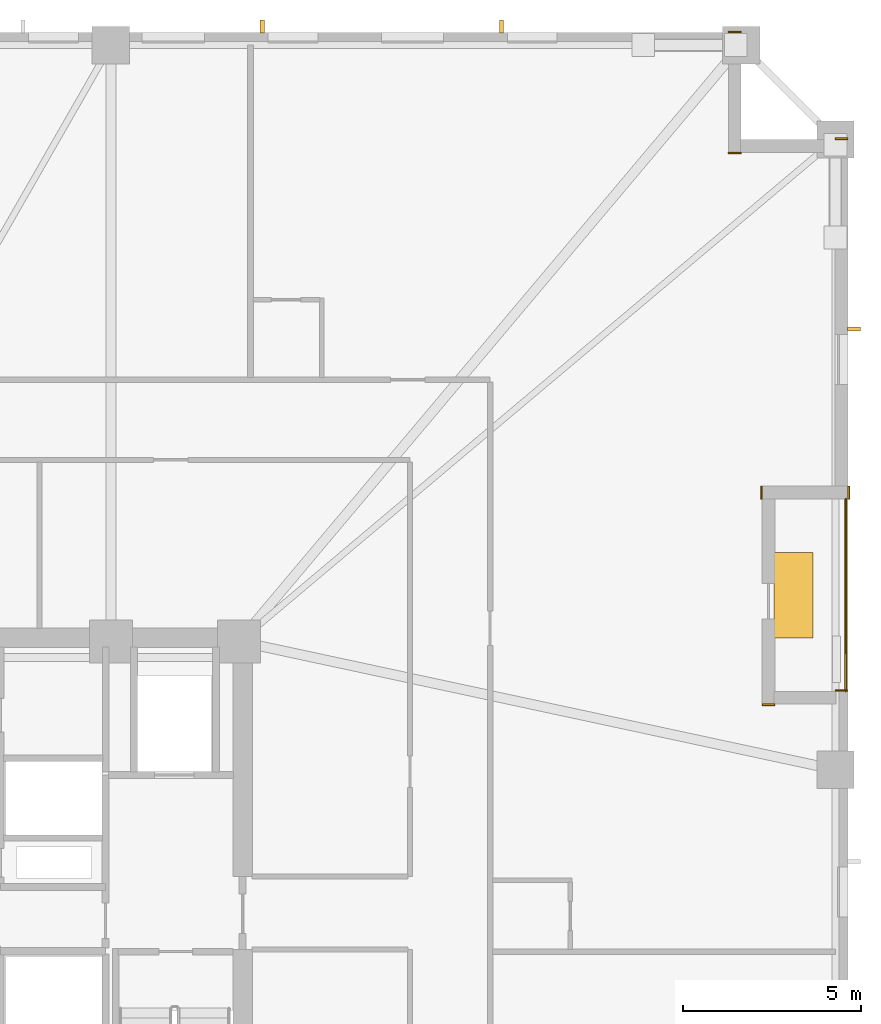
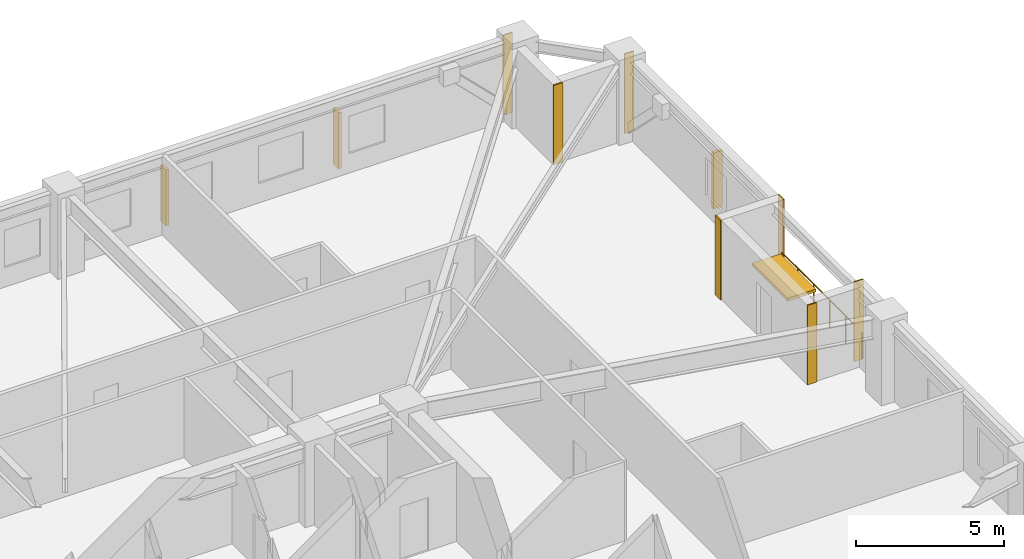
# One storey, part 12 of 12: 7 coverings, 4 shading devices, 1 railing.
"""IFC4 building model written with IfcOpenShell, lengths in metres."""

from ifc_helpers import new_model, si_unit, direction, frame, frame_2d, origin, origin_2d, place, context, subcontext, project, spatial, rectangle, circle, extrude, material, layer, layer_set, type_object, element, save


model = new_model("IFC4")

# Units and contexts
model_context = context("Model", 3, precision=1e-05, world=origin(), true_north=direction((0.0, 1.0)))
body_context = subcontext(model_context, "Body", "Model", "MODEL_VIEW")
ifc_project = project(units=[si_unit("LENGTHUNIT", "METRE"), si_unit("AREAUNIT", "SQUARE_METRE"), si_unit("VOLUMEUNIT", "CUBIC_METRE"), si_unit("PLANEANGLEUNIT", "RADIAN"), si_unit("MASSUNIT", "GRAM", prefix="KILO")], contexts=[model_context])

# Site, building, storey
site_placement = place(None, origin())
site = spatial("IfcSite", under=ifc_project, at=site_placement, CompositionType="ELEMENT")
building_placement = place(site_placement, origin())
building = spatial("IfcBuilding", under=site, at=building_placement, Name="Cairnveth Concourse Tower", CompositionType="ELEMENT")
storey_placement = place(building_placement, frame((0.0, 0.0, 83.0)))
storey = spatial("IfcBuildingStorey", under=building, at=storey_placement, Name="L22", CompositionType="ELEMENT", Elevation=83.0)

# Coverings
ifc_material_1 = material(Name="Dressed Melbourne Bluestone Cladding", Category="masonry")
ifc_layer = layer(ifc_material_1, 0.050048828125)
ifc_layer_set = layer_set([ifc_layer], Name="Dressed Melbourne Bluestone Cladding")
covering_type = type_object("IfcCoveringType", Name="DRESSED BLUESTONE PLINTH CLADDING 50", PredefinedType="CLADDING", material=ifc_layer_set)
for number, where, z_axis, x_axis, name in (
    (1, (77.139892578125, 46.02001953125, 0.0), (0.0, 0.0, 1.0), (1.0, 0.0, 0.0), "Melbourne Bluestone Corner Quoin L22-295"),
    (2, (74.139892578125, 64.52001953125, 0.0), (0.0, 0.0, 1.0), (1.0, 0.0, 0.0), "Melbourne Bluestone Corner Quoin L22-305"),
    (3, (74.139892578125, 61.1201171875, 0.0), (0.0, 0.0, 1.0), (1.0, 0.0, 0.0), "Melbourne Bluestone Corner Quoin L22-306"),
    (4, (77.139892578125, 61.52001953125, 0.0), (0.0, 0.0, 1.0), (1.0, 0.0, 0.0), "Melbourne Bluestone Corner Quoin L22-307"),
    (5, (77.52001953125, 51.760009765625, 0.0), (0.0, 0.0, 1.0), (0.0, -1.0, 0.0), "Melbourne Bluestone Corner Quoin L22-308"),
    (6, (75.070068359375, 51.760009765625, 0.0), (0.0, 0.0, 1.0), (0.0, -1.0, 0.0), "Melbourne Bluestone Corner Quoin L22-309"),
):
    element("IfcCovering", number, at=place(storey_placement, frame(where, z_axis=z_axis, x_axis=x_axis)), inside=storey, type_object=covering_type, Name=name, PredefinedType="CLADDING", context=body_context, shape_type="SweptSolid", body=[
        extrude(rectangle(XDim=0.360107421875, YDim=0.050048828125, at=frame_2d((0.18017578125, 0.0))), origin(), (0.0, 0.0, 1.0), 3.280029296875),
    ])
covering_placement = place(storey_placement, frame((75.090087890625, 45.6201171875, 0.0), z_axis=(0.0, 0.0, 1.0), x_axis=(1.0, 0.0, 0.0)))
element("IfcCovering", 7, at=covering_placement, inside=storey, type_object=covering_type, Name="Melbourne Bluestone Corner Quoin L22-310", PredefinedType="CLADDING", context=body_context, shape_type="SweptSolid", body=[
    extrude(rectangle(XDim=0.35986328125, YDim=0.050048828125, at=frame_2d((0.179931640625, 0.0))), origin(), (0.0, 0.0, 1.0), 3.280029296875),
])

# Shading devices
ifc_material_2 = material(Name="Architectural Bronze Anodised Aluminium 6063-T6", Category="aluminium")
shading_device_type_1 = type_object("IfcShadingDeviceType", Name="GOTHIC BRONZE VERTICAL LANCET FIN", PredefinedType="USERDEFINED", material=ifc_material_2)
for number, where, z_axis, x_axis, name in (
    (8, (61.051513671875, 64.675048828125, 0.02978515625), (0.0, 0.0, 1.0), (1.0, 0.0, 0.0), "Gothic Bronze Vertical Fin L22-9-9"),
    (9, (67.77197265625, 64.675048828125, 0.02978515625), (0.0, 0.0, 1.0), (1.0, 0.0, 0.0), "Gothic Bronze Vertical Fin L22-9-11"),
    (10, (77.675048828125, 56.178955078125, 0.02978515625), (0.0, 0.0, 1.0), (0.0, 1.0, 0.0), "Gothic Bronze Vertical Fin L22-12-1"),
):
    element("IfcShadingDevice", number, at=place(storey_placement, frame(where, z_axis=z_axis, x_axis=x_axis)), inside=storey, type_object=shading_device_type_1, Name=name, ObjectType="VERTICAL FIN", PredefinedType="USERDEFINED", context=body_context, shape_type="SweptSolid", body=[
        extrude(rectangle(XDim=0.1201171875, YDim=0.360107421875, at=origin_2d()), origin(), (0.0, 0.0, 1.0), 2.303955078125),
    ])
shading_device_type_2 = type_object("IfcShadingDeviceType", Name="SPIRAL TERRACE SUNSHADE CANOPY", PredefinedType="USERDEFINED", material=ifc_material_2)
shading_device_placement = place(storey_placement, frame((75.969970703125, 48.699951171875, 2.183837890625), z_axis=(0.0, 0.0, 1.0), x_axis=(1.0, 0.0, 0.0)))
element("IfcShadingDevice", 11, at=shading_device_placement, inside=storey, type_object=shading_device_type_2, Name="Spiral Terrace Sunshade L22", ObjectType="TERRACE SUNSHADE", PredefinedType="USERDEFINED", context=body_context, shape_type="SweptSolid", body=[
    extrude(rectangle(XDim=1.10009765625, YDim=2.39990234375, at=origin_2d()), origin(), (0.0, 0.0, 1.0), 0.1201171875),
])

# Railing
railing_type = type_object("IfcRailingType", Name="TERRACE BRONZE BALUSTRADE 1150", PredefinedType="BALUSTRADE", material=ifc_material_2)
railing_placement = place(storey_placement, frame((77.43994140625, 46.0, 0.0)))
element("IfcRailing", 12, at=railing_placement, inside=storey, type_object=railing_type, Name="Terrace Balustrade RL-L22-TERR", PredefinedType="BALUSTRADE", context=body_context, shape_type="SweptSolid", body=[
    extrude(circle(Radius=0.02490234375, at=origin_2d()), frame((0.0, 0.0, 1.125), z_axis=(0.0, 1.0, 0.0), x_axis=(-1.0, 0.0, 0.0)), (0.0, 0.0, 1.0), 5.39990234375),
    extrude(circle(Radius=0.02099609375, at=origin_2d()), origin(), (0.0, 0.0, 1.0), 1.099853515625),
    extrude(circle(Radius=0.02099609375, at=origin_2d()), frame((0.0, 1.080078125, 0.0)), (0.0, 0.0, 1.0), 1.099853515625),
    extrude(circle(Radius=0.02099609375, at=origin_2d()), frame((0.0, 2.159912109375, 0.0)), (0.0, 0.0, 1.0), 1.099853515625),
    extrude(circle(Radius=0.02099609375, at=origin_2d()), frame((0.0, 3.239990234375, 0.0)), (0.0, 0.0, 1.0), 1.099853515625),
    extrude(circle(Radius=0.02099609375, at=origin_2d()), frame((0.0, 4.31982421875, 0.0)), (0.0, 0.0, 1.0), 1.099853515625),
    extrude(circle(Radius=0.02099609375, at=origin_2d()), frame((0.0, 5.39990234375, 0.0)), (0.0, 0.0, 1.0), 1.099853515625),
])

save(model, "model.ifc")
